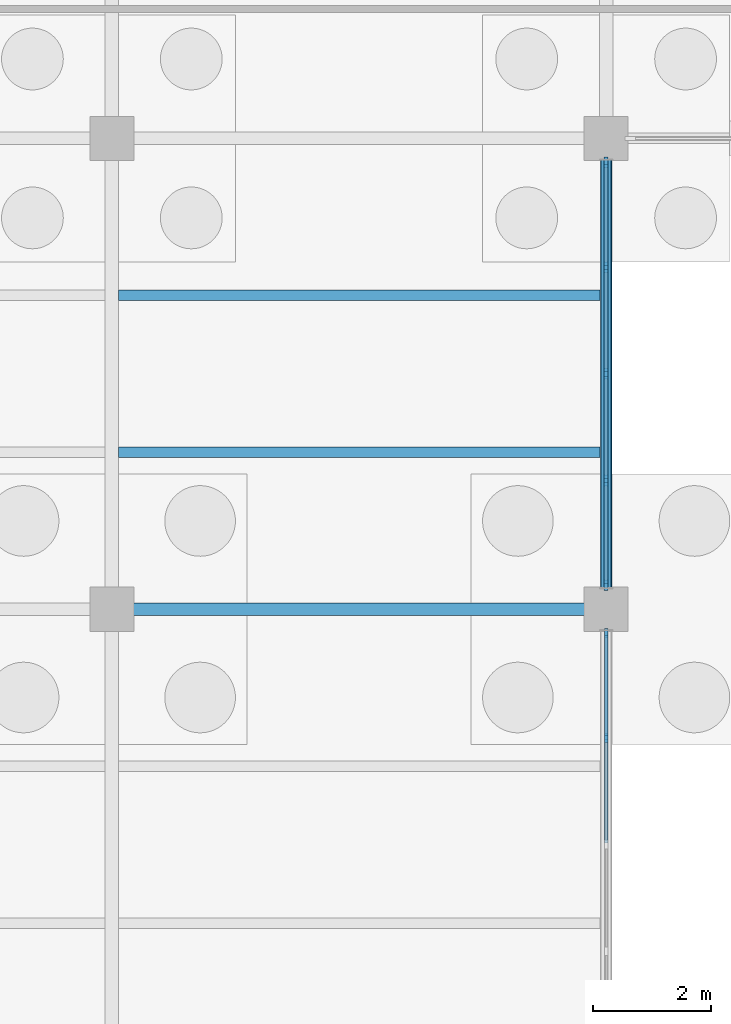
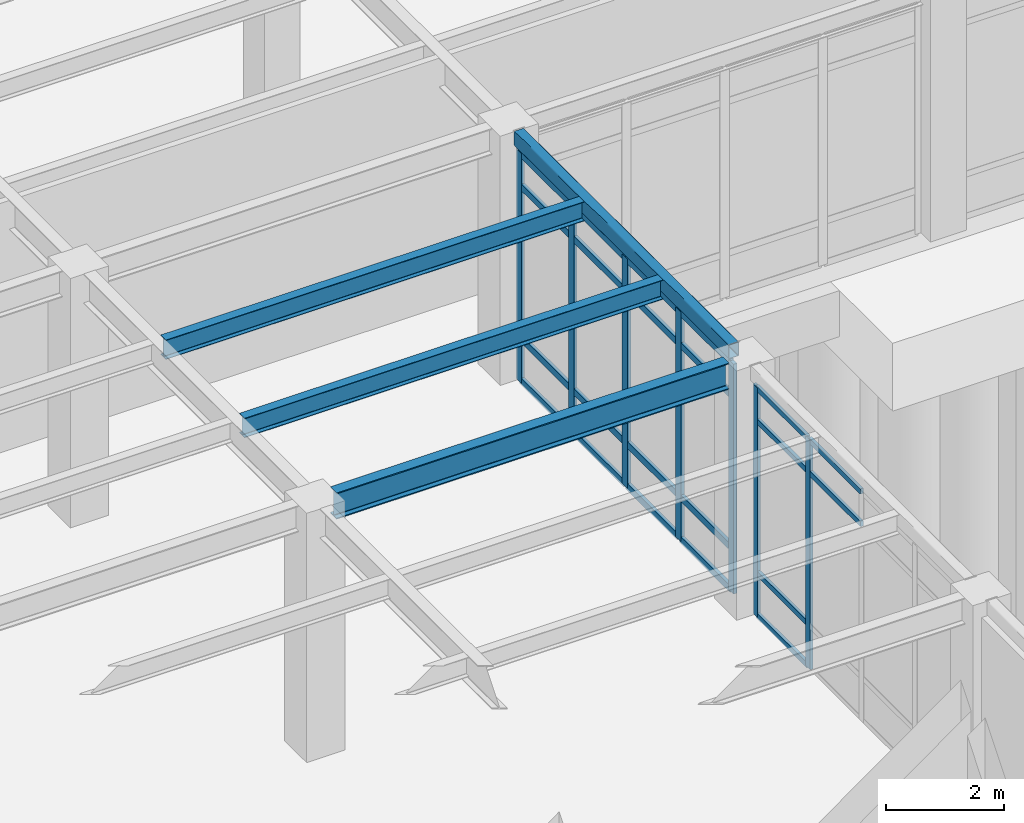
# One storey, part 49 of 138: 29 members, 4 beams, 2 elements without a shape of their own.
"""IFC4 building model written with IfcOpenShell, lengths in metres."""

from ifc_helpers import new_model, si_unit, direction, frame, origin, origin_2d, place, context, subcontext, project, spatial, rectangle, hollow_rectangle, i_section, extrude, material, layer, layer_set, material_profile, profile_set, type_object, element, aggregate, save


model = new_model("IFC4")

# Units and contexts
model_context = context("Model", 3, precision=1e-05, world=origin(), true_north=direction((0.0, 1.0)))
body_context = subcontext(model_context, "Body", "Model", "MODEL_VIEW")
ifc_project = project(units=[si_unit("LENGTHUNIT", "METRE"), si_unit("AREAUNIT", "SQUARE_METRE"), si_unit("VOLUMEUNIT", "CUBIC_METRE"), si_unit("PLANEANGLEUNIT", "RADIAN"), si_unit("MASSUNIT", "GRAM", prefix="KILO")], contexts=[model_context])

# Site, building, storey
site_placement = place(None, origin())
site = spatial("IfcSite", under=ifc_project, at=site_placement, CompositionType="ELEMENT")
building_placement = place(site_placement, origin())
building = spatial("IfcBuilding", under=site, at=building_placement, Name="Kranzveld Transit Interchange", CompositionType="ELEMENT")
storey_placement = place(building_placement, origin())
storey = spatial("IfcBuildingStorey", under=building, at=storey_placement, Name="L00", CompositionType="ELEMENT", Elevation=0.0)

# Curtain wall, members
ifc_material_1 = material(Name="Bronze-anodised thermally broken aluminium", Category="aluminium")
ifc_layer_1 = layer(ifc_material_1, 0.159912109375)
ifc_layer_set_1 = layer_set([ifc_layer_1], Name="Bronze-anodised thermally broken aluminium")
curtain_wall_type_1 = type_object("IfcCurtainWallType", Name="Bus Boarding Glazed Screen CW-3", PredefinedType="USERDEFINED", material=ifc_layer_set_1)
curtain_wall_1_placement = place(storey_placement, origin())
curtain_wall_1 = element("IfcCurtainWall", 1, at=curtain_wall_1_placement, inside=storey, type_object=curtain_wall_type_1, Name="L00 Curtain Wall 15/L-15/M", ObjectType="CURTAIN WALL", PredefinedType="USERDEFINED")
ifc_material_2 = material(Name="Bronze-anodised thermally broken aluminium", Category="aluminium")
ifc_material_profile_1 = material_profile(ifc_material_2, rectangle(XDim=0.06005859375, YDim=0.14990234375, at=origin_2d()), Name="ALU MULLION 60x150")
ifc_profile_set_1 = profile_set([ifc_material_profile_1], Name="Bronze-anodised thermally broken aluminium")
member_type_1 = type_object("IfcMemberType", Name="Curtain Wall Mullion 60x150 Alu", PredefinedType="MULLION", material=ifc_profile_set_1)
member_1_placement = place(storey_placement, frame((117.60009765625, 85.8125, 0.0), z_axis=(0.0, 0.0, 1.0), x_axis=(-1.0, 0.0, 0.0)))
member_1 = element("IfcMember", 2, at=member_1_placement, type_object=member_type_1, Name="CW-3 mullion 4", PredefinedType="MULLION", context=body_context, shape_type="SweptSolid", body=[
    extrude(rectangle(XDim=0.06005859375, YDim=0.14990234375, at=origin_2d()), origin(), (0.0, 0.0, 1.0), 4.747314453125),
])
member_2_placement = place(storey_placement, frame((117.60009765625, 87.594970703125, 0.0), z_axis=(0.0, 0.0, 1.0), x_axis=(-1.0, 0.0, 0.0)))
member_2 = element("IfcMember", 3, at=member_2_placement, type_object=member_type_1, Name="CW-3 mullion 5", PredefinedType="MULLION", context=body_context, shape_type="SweptSolid", body=[
    extrude(rectangle(XDim=0.06005859375, YDim=0.14990234375, at=origin_2d()), origin(), (0.0, 0.0, 1.0), 4.747314453125),
])

ifc_material_3 = material(Name="Bronze-anodised thermally broken aluminium", Category="aluminium")
ifc_layer_2 = layer(ifc_material_3, 0.179931640625)
ifc_layer_set_2 = layer_set([ifc_layer_2], Name="Bronze-anodised thermally broken aluminium")
curtain_wall_type_2 = type_object("IfcCurtainWallType", Name="Concourse Unitised Curtain Wall CW-1", PredefinedType="USERDEFINED", material=ifc_layer_set_2)
curtain_wall_2_placement = place(storey_placement, origin())
curtain_wall_2 = element("IfcCurtainWall", 4, at=curtain_wall_2_placement, inside=storey, type_object=curtain_wall_type_2, Name="L00 Curtain Wall 15/M-15/N", ObjectType="CURTAIN WALL", PredefinedType="USERDEFINED")
ifc_material_4 = material(Name="Bronze-anodised thermally broken aluminium", Category="aluminium")
ifc_material_profile_2 = material_profile(ifc_material_4, rectangle(XDim=0.06494140625, YDim=0.179931640625, at=origin_2d()), Name="ALU MULLION 65x180")
ifc_profile_set_2 = profile_set([ifc_material_profile_2], Name="Bronze-anodised thermally broken aluminium")
member_type_2 = type_object("IfcMemberType", Name="Curtain Wall Mullion 65x180 Alu", PredefinedType="MULLION", material=ifc_profile_set_2)
member_3_placement = place(storey_placement, frame((117.60009765625, 88.407470703125, 0.0), z_axis=(0.0, 0.0, 1.0), x_axis=(-1.0, 0.0, 0.0)))
member_3 = element("IfcMember", 5, at=member_3_placement, type_object=member_type_2, Name="CW-1 mullion 1", PredefinedType="MULLION", context=body_context, shape_type="SweptSolid", body=[
    extrude(rectangle(XDim=0.06494140625, YDim=0.179931640625, at=origin_2d()), origin(), (0.0, 0.0, 1.0), 4.747314453125),
])
member_4_placement = place(storey_placement, frame((117.60009765625, 90.1875, 0.0), z_axis=(0.0, 0.0, 1.0), x_axis=(-1.0, 0.0, 0.0)))
member_4 = element("IfcMember", 6, at=member_4_placement, type_object=member_type_2, Name="CW-1 mullion 2", PredefinedType="MULLION", context=body_context, shape_type="SweptSolid", body=[
    extrude(rectangle(XDim=0.06494140625, YDim=0.179931640625, at=origin_2d()), origin(), (0.0, 0.0, 1.0), 4.747314453125),
])
member_5_placement = place(storey_placement, frame((117.60009765625, 92.0, 0.0), z_axis=(0.0, 0.0, 1.0), x_axis=(-1.0, 0.0, 0.0)))
member_5 = element("IfcMember", 7, at=member_5_placement, type_object=member_type_2, Name="CW-1 mullion 3", PredefinedType="MULLION", context=body_context, shape_type="SweptSolid", body=[
    extrude(rectangle(XDim=0.06494140625, YDim=0.179931640625, at=origin_2d()), origin(), (0.0, 0.0, 1.0), 4.747314453125),
])
member_6_placement = place(storey_placement, frame((117.60009765625, 93.8125, 0.0), z_axis=(0.0, 0.0, 1.0), x_axis=(-1.0, 0.0, 0.0)))
member_6 = element("IfcMember", 8, at=member_6_placement, type_object=member_type_2, Name="CW-1 mullion 4", PredefinedType="MULLION", context=body_context, shape_type="SweptSolid", body=[
    extrude(rectangle(XDim=0.06494140625, YDim=0.179931640625, at=origin_2d()), origin(), (0.0, 0.0, 1.0), 4.747314453125),
])
member_7_placement = place(storey_placement, frame((117.60009765625, 95.592529296875, 0.0), z_axis=(0.0, 0.0, 1.0), x_axis=(-1.0, 0.0, 0.0)))
member_7 = element("IfcMember", 9, at=member_7_placement, type_object=member_type_2, Name="CW-1 mullion 5", PredefinedType="MULLION", context=body_context, shape_type="SweptSolid", body=[
    extrude(rectangle(XDim=0.06494140625, YDim=0.179931640625, at=origin_2d()), origin(), (0.0, 0.0, 1.0), 4.747314453125),
])

# Member
ifc_material_5 = material(Name="Bronze-anodised thermally broken aluminium", Category="aluminium")
ifc_material_profile_3 = material_profile(ifc_material_5, rectangle(XDim=0.06005859375, YDim=0.110107421875, at=origin_2d()), Name="ALU TRANSOM 60x110")
ifc_profile_set_3 = profile_set([ifc_material_profile_3], Name="Bronze-anodised thermally broken aluminium")
member_type_3 = type_object("IfcMemberType", Name="Curtain Wall Transom 60x110 Alu", PredefinedType="USERDEFINED", material=ifc_profile_set_3)
member_8_placement = place(storey_placement, frame((117.60009765625, 84.030029296875, 4.04736328125), z_axis=(0.0, 1.0, 0.0), x_axis=(-1.0, 0.0, 0.0)))
member_8 = element("IfcMember", 10, at=member_8_placement, type_object=member_type_3, Name="CW-3 transom 3.3", ObjectType="TRANSOM", PredefinedType="USERDEFINED", context=body_context, shape_type="SweptSolid", body=[
    extrude(rectangle(XDim=0.06005859375, YDim=0.110107421875, at=origin_2d()), origin(), (0.0, 0.0, 1.0), 1.75244140625),
])

member_9_placement = place(storey_placement, frame((117.60009765625, 84.030029296875, 4.71728515625), z_axis=(0.0, 1.0, 0.0), x_axis=(-1.0, 0.0, 0.0)))
member_9 = element("IfcMember", 11, at=member_9_placement, type_object=member_type_3, Name="CW-3 transom 3.4", ObjectType="TRANSOM", PredefinedType="USERDEFINED", context=body_context, shape_type="SweptSolid", body=[
    extrude(rectangle(XDim=0.06005859375, YDim=0.110107421875, at=origin_2d()), origin(), (0.0, 0.0, 1.0), 1.75244140625),
])

member_10_placement = place(storey_placement, frame((117.60009765625, 85.842529296875, 0.030029296875), z_axis=(0.0, 1.0, 0.0), x_axis=(-1.0, 0.0, 0.0)))
member_10 = element("IfcMember", 12, at=member_10_placement, type_object=member_type_3, Name="CW-3 transom 4.1", ObjectType="TRANSOM", PredefinedType="USERDEFINED", context=body_context, shape_type="SweptSolid", body=[
    extrude(rectangle(XDim=0.06005859375, YDim=0.110107421875, at=origin_2d()), origin(), (0.0, 0.0, 1.0), 1.722412109375),
])

member_11_placement = place(storey_placement, frame((117.60009765625, 85.842529296875, 0.89990234375), z_axis=(0.0, 1.0, 0.0), x_axis=(-1.0, 0.0, 0.0)))
member_11 = element("IfcMember", 13, at=member_11_placement, type_object=member_type_3, Name="CW-3 transom 4.2", ObjectType="TRANSOM", PredefinedType="USERDEFINED", context=body_context, shape_type="SweptSolid", body=[
    extrude(rectangle(XDim=0.06005859375, YDim=0.110107421875, at=origin_2d()), origin(), (0.0, 0.0, 1.0), 1.722412109375),
])

member_12_placement = place(storey_placement, frame((117.60009765625, 85.842529296875, 4.04736328125), z_axis=(0.0, 1.0, 0.0), x_axis=(-1.0, 0.0, 0.0)))
member_12 = element("IfcMember", 14, at=member_12_placement, type_object=member_type_3, Name="CW-3 transom 4.3", ObjectType="TRANSOM", PredefinedType="USERDEFINED", context=body_context, shape_type="SweptSolid", body=[
    extrude(rectangle(XDim=0.06005859375, YDim=0.110107421875, at=origin_2d()), origin(), (0.0, 0.0, 1.0), 1.722412109375),
])

member_13_placement = place(storey_placement, frame((117.60009765625, 85.842529296875, 4.71728515625), z_axis=(0.0, 1.0, 0.0), x_axis=(-1.0, 0.0, 0.0)))
member_13 = element("IfcMember", 15, at=member_13_placement, type_object=member_type_3, Name="CW-3 transom 4.4", ObjectType="TRANSOM", PredefinedType="USERDEFINED", context=body_context, shape_type="SweptSolid", body=[
    extrude(rectangle(XDim=0.06005859375, YDim=0.110107421875, at=origin_2d()), origin(), (0.0, 0.0, 1.0), 1.722412109375),
])

aggregate(curtain_wall_1, [member_1, member_2, member_8, member_9, member_10, member_11, member_12, member_13])

ifc_material_6 = material(Name="Bronze-anodised thermally broken aluminium", Category="aluminium")
ifc_material_profile_4 = material_profile(ifc_material_6, rectangle(XDim=0.06494140625, YDim=0.139892578125, at=origin_2d()), Name="ALU TRANSOM 65x140")
ifc_profile_set_4 = profile_set([ifc_material_profile_4], Name="Bronze-anodised thermally broken aluminium")
member_type_4 = type_object("IfcMemberType", Name="Curtain Wall Transom 65x140 Alu", PredefinedType="USERDEFINED", material=ifc_profile_set_4)
member_14_placement = place(storey_placement, frame((117.60009765625, 88.43994140625, 0.032470703125), z_axis=(0.0, 1.0, 0.0), x_axis=(-1.0, 0.0, 0.0)))
member_14 = element("IfcMember", 16, at=member_14_placement, type_object=member_type_4, Name="CW-1 transom 1.1", ObjectType="TRANSOM", PredefinedType="USERDEFINED", context=body_context, shape_type="SweptSolid", body=[
    extrude(rectangle(XDim=0.06494140625, YDim=0.139892578125, at=origin_2d()), origin(), (0.0, 0.0, 1.0), 1.715087890625),
])

member_15_placement = place(storey_placement, frame((117.60009765625, 88.43994140625, 0.89990234375), z_axis=(0.0, 1.0, 0.0), x_axis=(-1.0, 0.0, 0.0)))
member_15 = element("IfcMember", 17, at=member_15_placement, type_object=member_type_4, Name="CW-1 transom 1.2", ObjectType="TRANSOM", PredefinedType="USERDEFINED", context=body_context, shape_type="SweptSolid", body=[
    extrude(rectangle(XDim=0.06494140625, YDim=0.139892578125, at=origin_2d()), origin(), (0.0, 0.0, 1.0), 1.715087890625),
])

member_16_placement = place(storey_placement, frame((117.60009765625, 88.43994140625, 4.04736328125), z_axis=(0.0, 1.0, 0.0), x_axis=(-1.0, 0.0, 0.0)))
member_16 = element("IfcMember", 18, at=member_16_placement, type_object=member_type_4, Name="CW-1 transom 1.3", ObjectType="TRANSOM", PredefinedType="USERDEFINED", context=body_context, shape_type="SweptSolid", body=[
    extrude(rectangle(XDim=0.06494140625, YDim=0.139892578125, at=origin_2d()), origin(), (0.0, 0.0, 1.0), 1.715087890625),
])

member_17_placement = place(storey_placement, frame((117.60009765625, 88.43994140625, 4.71484375), z_axis=(0.0, 1.0, 0.0), x_axis=(-1.0, 0.0, 0.0)))
member_17 = element("IfcMember", 19, at=member_17_placement, type_object=member_type_4, Name="CW-1 transom 1.4", ObjectType="TRANSOM", PredefinedType="USERDEFINED", context=body_context, shape_type="SweptSolid", body=[
    extrude(rectangle(XDim=0.06494140625, YDim=0.139892578125, at=origin_2d()), origin(), (0.0, 0.0, 1.0), 1.715087890625),
])

member_18_placement = place(storey_placement, frame((117.60009765625, 90.219970703125, 0.032470703125), z_axis=(0.0, 1.0, 0.0), x_axis=(-1.0, 0.0, 0.0)))
member_18 = element("IfcMember", 20, at=member_18_placement, type_object=member_type_4, Name="CW-1 transom 2.1", ObjectType="TRANSOM", PredefinedType="USERDEFINED", context=body_context, shape_type="SweptSolid", body=[
    extrude(rectangle(XDim=0.06494140625, YDim=0.139892578125, at=origin_2d()), origin(), (0.0, 0.0, 1.0), 1.74755859375),
])

member_19_placement = place(storey_placement, frame((117.60009765625, 90.219970703125, 0.89990234375), z_axis=(0.0, 1.0, 0.0), x_axis=(-1.0, 0.0, 0.0)))
member_19 = element("IfcMember", 21, at=member_19_placement, type_object=member_type_4, Name="CW-1 transom 2.2", ObjectType="TRANSOM", PredefinedType="USERDEFINED", context=body_context, shape_type="SweptSolid", body=[
    extrude(rectangle(XDim=0.06494140625, YDim=0.139892578125, at=origin_2d()), origin(), (0.0, 0.0, 1.0), 1.74755859375),
])

member_20_placement = place(storey_placement, frame((117.60009765625, 90.219970703125, 4.04736328125), z_axis=(0.0, 1.0, 0.0), x_axis=(-1.0, 0.0, 0.0)))
member_20 = element("IfcMember", 22, at=member_20_placement, type_object=member_type_4, Name="CW-1 transom 2.3", ObjectType="TRANSOM", PredefinedType="USERDEFINED", context=body_context, shape_type="SweptSolid", body=[
    extrude(rectangle(XDim=0.06494140625, YDim=0.139892578125, at=origin_2d()), origin(), (0.0, 0.0, 1.0), 1.74755859375),
])

member_21_placement = place(storey_placement, frame((117.60009765625, 90.219970703125, 4.71484375), z_axis=(0.0, 1.0, 0.0), x_axis=(-1.0, 0.0, 0.0)))
member_21 = element("IfcMember", 23, at=member_21_placement, type_object=member_type_4, Name="CW-1 transom 2.4", ObjectType="TRANSOM", PredefinedType="USERDEFINED", context=body_context, shape_type="SweptSolid", body=[
    extrude(rectangle(XDim=0.06494140625, YDim=0.139892578125, at=origin_2d()), origin(), (0.0, 0.0, 1.0), 1.74755859375),
])

member_22_placement = place(storey_placement, frame((117.60009765625, 92.032470703125, 0.032470703125), z_axis=(0.0, 1.0, 0.0), x_axis=(-1.0, 0.0, 0.0)))
member_22 = element("IfcMember", 24, at=member_22_placement, type_object=member_type_4, Name="CW-1 transom 3.1", ObjectType="TRANSOM", PredefinedType="USERDEFINED", context=body_context, shape_type="SweptSolid", body=[
    extrude(rectangle(XDim=0.06494140625, YDim=0.139892578125, at=origin_2d()), origin(), (0.0, 0.0, 1.0), 1.74755859375),
])

member_23_placement = place(storey_placement, frame((117.60009765625, 92.032470703125, 0.89990234375), z_axis=(0.0, 1.0, 0.0), x_axis=(-1.0, 0.0, 0.0)))
member_23 = element("IfcMember", 25, at=member_23_placement, type_object=member_type_4, Name="CW-1 transom 3.2", ObjectType="TRANSOM", PredefinedType="USERDEFINED", context=body_context, shape_type="SweptSolid", body=[
    extrude(rectangle(XDim=0.06494140625, YDim=0.139892578125, at=origin_2d()), origin(), (0.0, 0.0, 1.0), 1.74755859375),
])

member_24_placement = place(storey_placement, frame((117.60009765625, 92.032470703125, 4.04736328125), z_axis=(0.0, 1.0, 0.0), x_axis=(-1.0, 0.0, 0.0)))
member_24 = element("IfcMember", 26, at=member_24_placement, type_object=member_type_4, Name="CW-1 transom 3.3", ObjectType="TRANSOM", PredefinedType="USERDEFINED", context=body_context, shape_type="SweptSolid", body=[
    extrude(rectangle(XDim=0.06494140625, YDim=0.139892578125, at=origin_2d()), origin(), (0.0, 0.0, 1.0), 1.74755859375),
])

member_25_placement = place(storey_placement, frame((117.60009765625, 92.032470703125, 4.71484375), z_axis=(0.0, 1.0, 0.0), x_axis=(-1.0, 0.0, 0.0)))
member_25 = element("IfcMember", 27, at=member_25_placement, type_object=member_type_4, Name="CW-1 transom 3.4", ObjectType="TRANSOM", PredefinedType="USERDEFINED", context=body_context, shape_type="SweptSolid", body=[
    extrude(rectangle(XDim=0.06494140625, YDim=0.139892578125, at=origin_2d()), origin(), (0.0, 0.0, 1.0), 1.74755859375),
])

member_26_placement = place(storey_placement, frame((117.60009765625, 93.844970703125, 0.032470703125), z_axis=(0.0, 1.0, 0.0), x_axis=(-1.0, 0.0, 0.0)))
member_26 = element("IfcMember", 28, at=member_26_placement, type_object=member_type_4, Name="CW-1 transom 4.1", ObjectType="TRANSOM", PredefinedType="USERDEFINED", context=body_context, shape_type="SweptSolid", body=[
    extrude(rectangle(XDim=0.06494140625, YDim=0.139892578125, at=origin_2d()), origin(), (0.0, 0.0, 1.0), 1.715087890625),
])

member_27_placement = place(storey_placement, frame((117.60009765625, 93.844970703125, 0.89990234375), z_axis=(0.0, 1.0, 0.0), x_axis=(-1.0, 0.0, 0.0)))
member_27 = element("IfcMember", 29, at=member_27_placement, type_object=member_type_4, Name="CW-1 transom 4.2", ObjectType="TRANSOM", PredefinedType="USERDEFINED", context=body_context, shape_type="SweptSolid", body=[
    extrude(rectangle(XDim=0.06494140625, YDim=0.139892578125, at=origin_2d()), origin(), (0.0, 0.0, 1.0), 1.715087890625),
])

member_28_placement = place(storey_placement, frame((117.60009765625, 93.844970703125, 4.04736328125), z_axis=(0.0, 1.0, 0.0), x_axis=(-1.0, 0.0, 0.0)))
member_28 = element("IfcMember", 30, at=member_28_placement, type_object=member_type_4, Name="CW-1 transom 4.3", ObjectType="TRANSOM", PredefinedType="USERDEFINED", context=body_context, shape_type="SweptSolid", body=[
    extrude(rectangle(XDim=0.06494140625, YDim=0.139892578125, at=origin_2d()), origin(), (0.0, 0.0, 1.0), 1.715087890625),
])

member_29_placement = place(storey_placement, frame((117.60009765625, 93.844970703125, 4.71484375), z_axis=(0.0, 1.0, 0.0), x_axis=(-1.0, 0.0, 0.0)))
member_29 = element("IfcMember", 31, at=member_29_placement, type_object=member_type_4, Name="CW-1 transom 4.4", ObjectType="TRANSOM", PredefinedType="USERDEFINED", context=body_context, shape_type="SweptSolid", body=[
    extrude(rectangle(XDim=0.06494140625, YDim=0.139892578125, at=origin_2d()), origin(), (0.0, 0.0, 1.0), 1.715087890625),
])

aggregate(curtain_wall_2, [member_3, member_4, member_5, member_6, member_7, member_14, member_15, member_16, member_17, member_18, member_19, member_20, member_21, member_22, member_23, member_24, member_25, member_26, member_27, member_28, member_29])

# Beams
ifc_material_7 = material(Name="Steel S355JR", Category="steel")
ifc_material_profile_5 = material_profile(ifc_material_7, hollow_rectangle(XDim=0.199951171875, YDim=0.300048828125, WallThickness=0.010009765625, InnerFilletRadius=0.014892578125, OuterFilletRadius=0.02490234375, at=origin_2d()), Name="RHS 300x200x10")
ifc_profile_set_5 = profile_set([ifc_material_profile_5], Name="Steel S355JR")
beam_type_1 = type_object("IfcBeamType", Name="Edge Spandrel RHS 300x200x10 S355JR", PredefinedType="SPANDREL", material=ifc_profile_set_5)
beam_1_placement = place(storey_placement, frame((117.60009765625, 88.364990234375, 5.0), z_axis=(0.0, 1.0, 0.0), x_axis=(-1.0, 0.0, 0.0)))
element("IfcBeam", 32, at=beam_1_placement, inside=storey, type_object=beam_type_1, Name="L00 Girder 15/M-N", PredefinedType="SPANDREL", context=body_context, shape_type="SweptSolid", body=[
    extrude(hollow_rectangle(XDim=0.199951171875, YDim=0.300048828125, WallThickness=0.010009765625, InnerFilletRadius=0.014892578125, OuterFilletRadius=0.02490234375, at=origin_2d()), origin(), (0.0, 0.0, 1.0), 7.27001953125),
])
ifc_material_8 = material(Name="Steel S355JR", Category="steel")
ifc_material_profile_6 = material_profile(ifc_material_8, i_section(OverallWidth=0.177734375, OverallDepth=0.402587890625, WebThickness=0.0078125, FlangeThickness=0.010986328125, FilletRadius=0.01025390625, at=origin_2d()), Name="UB 406x178x54")
ifc_profile_set_6 = profile_set([ifc_material_profile_6], Name="Steel S355JR")
beam_type_2 = type_object("IfcBeamType", Name="Floor Joist UB 406x178x54 S355JR", PredefinedType="JOIST", material=ifc_profile_set_6)
for number, where, z_axis, x_axis, name in (
    (33, (109.316162109375, 90.666748046875, 4.94873046875), (1.0, 0.0, 0.0), (0.0, 1.0, 0.0), "L00 Secondary Joist 14-15/M.1"),
    (34, (109.316162109375, 93.333251953125, 4.94873046875), (1.0, 0.0, 0.0), (0.0, 1.0, 0.0), "L00 Secondary Joist 14-15/M.2"),
):
    element("IfcBeam", number, at=place(storey_placement, frame(where, z_axis=z_axis, x_axis=x_axis)), inside=storey, type_object=beam_type_2, Name=name, PredefinedType="JOIST", context=body_context, shape_type="SweptSolid", body=[
        extrude(i_section(OverallWidth=0.177734375, OverallDepth=0.402587890625, WebThickness=0.0078125, FlangeThickness=0.010986328125, FilletRadius=0.01025390625, at=origin_2d()), origin(), (0.0, 0.0, 1.0), 8.181884765625),
    ])
ifc_material_9 = material(Name="Steel S355JR", Category="steel")
ifc_material_profile_7 = material_profile(ifc_material_9, i_section(OverallWidth=0.2119140625, OverallDepth=0.54443359375, WebThickness=0.0126953125, FlangeThickness=0.021240234375, FilletRadius=0.0126953125, at=origin_2d()), Name="UB 533x210x122")
ifc_profile_set_7 = profile_set([ifc_material_profile_7], Name="Steel S355JR")
beam_type_3 = type_object("IfcBeamType", Name="Girder Steel UB 533x210x122 S355JR", PredefinedType="BEAM", material=ifc_profile_set_7)
beam_2_placement = place(storey_placement, frame((109.56494140625, 88.0, 4.877685546875), z_axis=(1.0, 0.0, 0.0), x_axis=(0.0, 1.0, 0.0)))
element("IfcBeam", 35, at=beam_2_placement, inside=storey, type_object=beam_type_3, Name="L00 Girder 14-15/M", PredefinedType="BEAM", context=body_context, shape_type="SweptSolid", body=[
    extrude(i_section(OverallWidth=0.2119140625, OverallDepth=0.54443359375, WebThickness=0.0126953125, FlangeThickness=0.021240234375, FilletRadius=0.0126953125, at=origin_2d()), origin(), (0.0, 0.0, 1.0), 7.670166015625),
])

save(model, "model.ifc")
